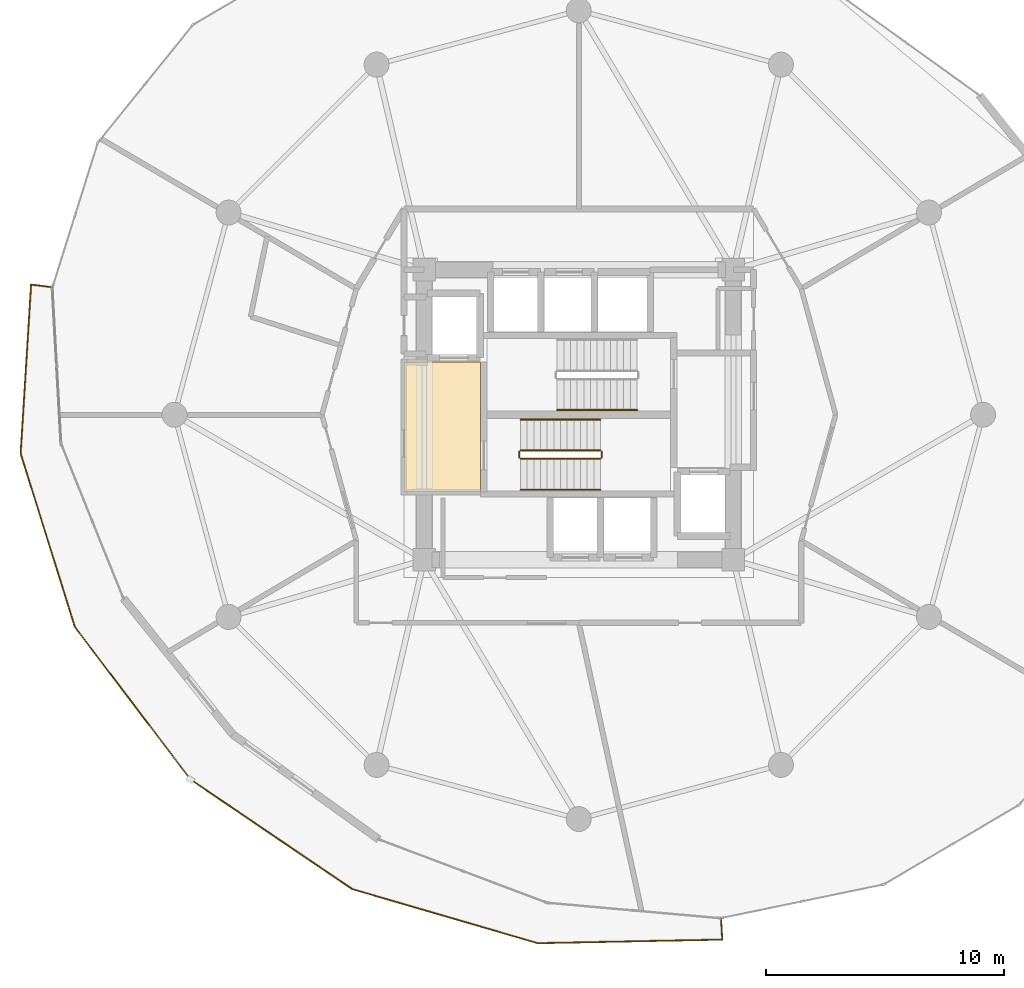
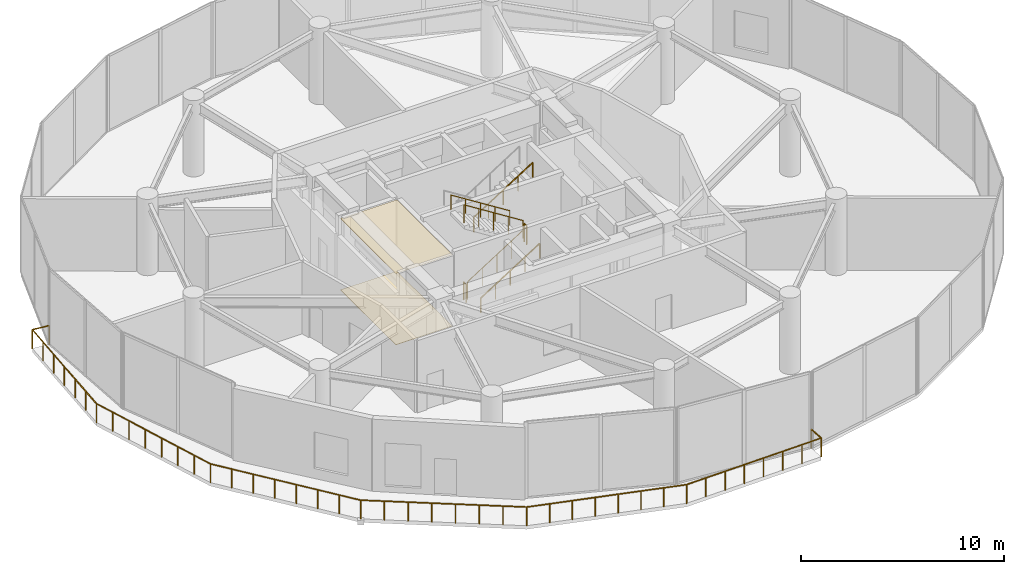
# One storey, part 27 of 28: 8 railings, 2 coverings.
"""IFC4 building model written with IfcOpenShell, lengths in metres."""

from ifc_helpers import new_model, si_unit, direction, frame, origin, origin_2d, place, context, subcontext, project, spatial, polyline, circle, outline, extrude, material, layer, layer_set, type_object, element, save


model = new_model("IFC4")

# Units and contexts
model_context = context("Model", 3, precision=1e-05, world=origin(), true_north=direction((0.0, 1.0)))
body_context = subcontext(model_context, "Body", "Model", "MODEL_VIEW")
ifc_project = project(units=[si_unit("LENGTHUNIT", "METRE"), si_unit("AREAUNIT", "SQUARE_METRE"), si_unit("VOLUMEUNIT", "CUBIC_METRE"), si_unit("PLANEANGLEUNIT", "RADIAN"), si_unit("MASSUNIT", "GRAM", prefix="KILO")], contexts=[model_context])

# Site, building, storey
site_placement = place(None, origin())
site = spatial("IfcSite", under=ifc_project, at=site_placement, CompositionType="ELEMENT")
building_placement = place(site_placement, origin())
building = spatial("IfcBuilding", under=site, at=building_placement, Name="Solvirekh Grand Hotel", CompositionType="ELEMENT")
storey_placement = place(building_placement, frame((0.0, 0.0, 98.0)))
storey = spatial("IfcBuildingStorey", under=building, at=storey_placement, Name="L24", CompositionType="ELEMENT", Elevation=98.0)

# Coverings
ifc_material_1 = material(Name="Acoustic Mineral Ceiling Tile")
ifc_layer_1 = layer(ifc_material_1, 0.02490234375)
ifc_layer_set_1 = layer_set([ifc_layer_1], Name="Acoustic Mineral Ceiling Tile")
covering_type_1 = type_object("IfcCoveringType", Name="Cov_Ceiling_Acoustic", PredefinedType="CEILING", material=ifc_layer_set_1)
covering_1_placement = place(storey_placement, frame((0.0, 0.0, 4.300048828125)))
element("IfcCovering", 1, at=covering_1_placement, inside=storey, type_object=covering_type_1, Name="L24 Firefighting Lobby West acoustic ceiling", PredefinedType="CEILING", context=body_context, shape_type="SweptSolid", body=[
    extrude(outline(polyline([(-7.35009765625, -3.25), (-4.1298828125, -3.25), (-4.1298828125, 2.2099609375), (-7.35009765625, 2.2099609375), (-7.35009765625, -3.25)])), origin(), (0.0, 0.0, 1.0), 0.01806640625),
])
ifc_material_2 = material(Name="Porcelain Stoneware Flooring", Category="masonry")
ifc_layer_2 = layer(ifc_material_2, 0.030029296875)
ifc_layer_set_2 = layer_set([ifc_layer_2], Name="Porcelain Stoneware Flooring")
covering_type_2 = type_object("IfcCoveringType", Name="Cov_Floor_Stone", PredefinedType="FLOORING", material=ifc_layer_set_2)
covering_2_placement = place(storey_placement, origin())
element("IfcCovering", 2, at=covering_2_placement, inside=storey, type_object=covering_type_2, Name="L24 Firefighting Lobby West polished granite flooring", PredefinedType="FLOORING", context=body_context, shape_type="SweptSolid", body=[
    extrude(outline(polyline([(-7.35009765625, -3.25), (-4.1298828125, -3.25), (-4.1298828125, 2.2099609375), (-7.35009765625, 2.2099609375), (-7.35009765625, -3.25)])), origin(), (0.0, 0.0, 1.0), 0.02001953125),
])

# Railings
ifc_material_3 = material(Name="Anodized Bronze Aluminium 6063-T6", Category="aluminium")
railing_type_1 = type_object("IfcRailingType", Name="Guard_ExtGlass_1150", PredefinedType="BALUSTRADE", material=ifc_material_3)
railing_1_placement = place(storey_placement, frame((-22.135986328125, 5.366943359375, 0.0)))
element("IfcRailing", 3, at=railing_1_placement, inside=storey, type_object=railing_type_1, Name="L24 balc perimeter glass balustrade", PredefinedType="BALUSTRADE", context=body_context, shape_type="SweptSolid", body=[
    extrude(circle(Radius=0.02392578125, at=origin_2d()), frame((0.0, 0.0, 1.1259765625), z_axis=(-0.992632365894, 0.121165119485, 0.0), x_axis=(-0.121165119485, -0.992632365894, 0.0)), (0.0, 0.0, 1.0), 0.900634765625),
    extrude(circle(Radius=0.02392578125, at=origin_2d()), frame((-0.89404296875, 0.109130859375, 1.1259765625), z_axis=(-0.061835645824, -0.998086345416, 0.0), x_axis=(0.998086345416, -0.061835645824, 0.0)), (0.0, 0.0, 1.0), 7.11474609375),
    extrude(circle(Radius=0.02392578125, at=origin_2d()), frame((-1.333984375, -6.991943359375, 1.1259765625), z_axis=(0.298164099568, -0.954514625204, 0.0), x_axis=(0.954514625204, 0.298164099568, 0.0)), (0.0, 0.0, 1.0), 7.64697265625),
    extrude(circle(Radius=0.02392578125, at=origin_2d()), frame((0.946044921875, -14.291015625, 1.1259765625), z_axis=(0.604163258931, -0.796860562807, 0.0), x_axis=(0.796860562807, 0.604163258931, 0.0)), (0.0, 0.0, 1.0), 8.0439453125),
    extrude(circle(Radius=0.02392578125, at=origin_2d()), frame((5.805908203125, -20.700927734375, 1.1259765625), z_axis=(0.827817683229, -0.560997222215, 0.0), x_axis=(0.560997222215, 0.827817683229, 0.0)), (0.0, 0.0, 1.0), 8.219482421875),
    extrude(circle(Radius=0.02392578125, at=origin_2d()), frame((12.610107421875, -25.31201171875, 1.1259765625), z_axis=(0.959978461339, -0.280073836273, 0.0), x_axis=(0.280073836273, 0.959978461339, 0.0)), (0.0, 0.0, 1.0), 8.1259765625),
    extrude(circle(Radius=0.02392578125, at=origin_2d()), frame((20.410888671875, -27.587890625, 1.1259765625), z_axis=(0.999808534331, 0.019567694797, 0.0), x_axis=(-0.019567694797, 0.999808534331, 0.0)), (0.0, 0.0, 1.0), 7.760498046875),
    extrude(circle(Radius=0.02392578125, at=origin_2d()), frame((28.169921875, -27.43603515625, 1.1259765625), z_axis=(-0.054223666295, 0.998528814814, 0.0), x_axis=(-0.998528814814, -0.054223666295, 0.0)), (0.0, 0.0, 1.0), 0.900390625),
    extrude(circle(Radius=0.02099609375, at=origin_2d()), origin(), (0.0, 0.0, 1.0), 1.101806640625),
    extrude(circle(Radius=0.02099609375, at=origin_2d()), frame((-0.89404296875, 0.109130859375, 0.0)), (0.0, 0.0, 1.0), 1.101806640625),
    extrude(circle(Radius=0.02099609375, at=origin_2d()), frame((-0.96728515625, -1.074462890625, 0.0)), (0.0, 0.0, 1.0), 1.101806640625),
    extrude(circle(Radius=0.02099609375, at=origin_2d()), frame((-1.040771484375, -2.2578125, 0.0)), (0.0, 0.0, 1.0), 1.101806640625),
    extrude(circle(Radius=0.02099609375, at=origin_2d()), frame((-1.114013671875, -3.44140625, 0.0)), (0.0, 0.0, 1.0), 1.101806640625),
    extrude(circle(Radius=0.02099609375, at=origin_2d()), frame((-1.187255859375, -4.625, 0.0)), (0.0, 0.0, 1.0), 1.101806640625),
    extrude(circle(Radius=0.02099609375, at=origin_2d()), frame((-1.2607421875, -5.808349609375, 0.0)), (0.0, 0.0, 1.0), 1.101806640625),
    extrude(circle(Radius=0.02099609375, at=origin_2d()), frame((-1.333984375, -6.991943359375, 0.0)), (0.0, 0.0, 1.0), 1.101806640625),
    extrude(circle(Radius=0.02099609375, at=origin_2d()), frame((-1.00830078125, -8.03466796875, 0.0)), (0.0, 0.0, 1.0), 1.101806640625),
    extrude(circle(Radius=0.02099609375, at=origin_2d()), frame((-0.6826171875, -9.077392578125, 0.0)), (0.0, 0.0, 1.0), 1.101806640625),
    extrude(circle(Radius=0.02099609375, at=origin_2d()), frame((-0.35693359375, -10.1201171875, 0.0)), (0.0, 0.0, 1.0), 1.101806640625),
    extrude(circle(Radius=0.02099609375, at=origin_2d()), frame((-0.031005859375, -11.162841796875, 0.0)), (0.0, 0.0, 1.0), 1.101806640625),
    extrude(circle(Radius=0.02099609375, at=origin_2d()), frame((0.294677734375, -12.20556640625, 0.0)), (0.0, 0.0, 1.0), 1.101806640625),
    extrude(circle(Radius=0.02099609375, at=origin_2d()), frame((0.620361328125, -13.248291015625, 0.0)), (0.0, 0.0, 1.0), 1.101806640625),
    extrude(circle(Radius=0.02099609375, at=origin_2d()), frame((0.946044921875, -14.291015625, 0.0)), (0.0, 0.0, 1.0), 1.101806640625),
    extrude(circle(Radius=0.02099609375, at=origin_2d()), frame((1.640380859375, -15.206787109375, 0.0)), (0.0, 0.0, 1.0), 1.101806640625),
    extrude(circle(Radius=0.02099609375, at=origin_2d()), frame((2.33447265625, -16.122314453125, 0.0)), (0.0, 0.0, 1.0), 1.101806640625),
    extrude(circle(Radius=0.02099609375, at=origin_2d()), frame((3.02880859375, -17.0380859375, 0.0)), (0.0, 0.0, 1.0), 1.101806640625),
    extrude(circle(Radius=0.02099609375, at=origin_2d()), frame((3.72314453125, -17.953857421875, 0.0)), (0.0, 0.0, 1.0), 1.101806640625),
    extrude(circle(Radius=0.02099609375, at=origin_2d()), frame((4.41748046875, -18.86962890625, 0.0)), (0.0, 0.0, 1.0), 1.101806640625),
    extrude(circle(Radius=0.02099609375, at=origin_2d()), frame((5.111572265625, -19.78515625, 0.0)), (0.0, 0.0, 1.0), 1.101806640625),
    extrude(circle(Radius=0.02099609375, at=origin_2d()), frame((5.805908203125, -20.700927734375, 0.0)), (0.0, 0.0, 1.0), 1.101806640625),
    extrude(circle(Radius=0.02099609375, at=origin_2d()), frame((6.77783203125, -21.359619140625, 0.0)), (0.0, 0.0, 1.0), 1.101806640625),
    extrude(circle(Radius=0.02099609375, at=origin_2d()), frame((7.75, -22.018310546875, 0.0)), (0.0, 0.0, 1.0), 1.101806640625),
    extrude(circle(Radius=0.02099609375, at=origin_2d()), frame((8.721923828125, -22.677001953125, 0.0)), (0.0, 0.0, 1.0), 1.101806640625),
    extrude(circle(Radius=0.02099609375, at=origin_2d()), frame((9.694091796875, -23.3359375, 0.0)), (0.0, 0.0, 1.0), 1.101806640625),
    extrude(circle(Radius=0.02099609375, at=origin_2d()), frame((10.666015625, -23.99462890625, 0.0)), (0.0, 0.0, 1.0), 1.101806640625),
    extrude(circle(Radius=0.02099609375, at=origin_2d()), frame((11.63818359375, -24.6533203125, 0.0)), (0.0, 0.0, 1.0), 1.101806640625),
    extrude(circle(Radius=0.02099609375, at=origin_2d()), frame((12.610107421875, -25.31201171875, 0.0)), (0.0, 0.0, 1.0), 1.101806640625),
    extrude(circle(Radius=0.02099609375, at=origin_2d()), frame((13.724609375, -25.63720703125, 0.0)), (0.0, 0.0, 1.0), 1.101806640625),
    extrude(circle(Radius=0.02099609375, at=origin_2d()), frame((14.8388671875, -25.962158203125, 0.0)), (0.0, 0.0, 1.0), 1.101806640625),
    extrude(circle(Radius=0.02099609375, at=origin_2d()), frame((15.953369140625, -26.287353515625, 0.0)), (0.0, 0.0, 1.0), 1.101806640625),
    extrude(circle(Radius=0.02099609375, at=origin_2d()), frame((17.067626953125, -26.612548828125, 0.0)), (0.0, 0.0, 1.0), 1.101806640625),
    extrude(circle(Radius=0.02099609375, at=origin_2d()), frame((18.18212890625, -26.937744140625, 0.0)), (0.0, 0.0, 1.0), 1.101806640625),
    extrude(circle(Radius=0.02099609375, at=origin_2d()), frame((19.29638671875, -27.2626953125, 0.0)), (0.0, 0.0, 1.0), 1.101806640625),
    extrude(circle(Radius=0.02099609375, at=origin_2d()), frame((20.410888671875, -27.587890625, 0.0)), (0.0, 0.0, 1.0), 1.101806640625),
    extrude(circle(Radius=0.02099609375, at=origin_2d()), frame((21.519287109375, -27.566162109375, 0.0)), (0.0, 0.0, 1.0), 1.101806640625),
    extrude(circle(Radius=0.02099609375, at=origin_2d()), frame((22.627685546875, -27.54443359375, 0.0)), (0.0, 0.0, 1.0), 1.101806640625),
    extrude(circle(Radius=0.02099609375, at=origin_2d()), frame((23.736083984375, -27.522705078125, 0.0)), (0.0, 0.0, 1.0), 1.101806640625),
    extrude(circle(Radius=0.02099609375, at=origin_2d()), frame((24.8447265625, -27.501220703125, 0.0)), (0.0, 0.0, 1.0), 1.101806640625),
    extrude(circle(Radius=0.02099609375, at=origin_2d()), frame((25.953125, -27.4794921875, 0.0)), (0.0, 0.0, 1.0), 1.101806640625),
    extrude(circle(Radius=0.02099609375, at=origin_2d()), frame((27.0615234375, -27.457763671875, 0.0)), (0.0, 0.0, 1.0), 1.101806640625),
    extrude(circle(Radius=0.02099609375, at=origin_2d()), frame((28.169921875, -27.43603515625, 0.0)), (0.0, 0.0, 1.0), 1.101806640625),
    extrude(circle(Radius=0.02099609375, at=origin_2d()), frame((28.12109375, -26.536865234375, 0.0)), (0.0, 0.0, 1.0), 1.101806640625),
])
ifc_material_4 = material(Name="Steel S355", Category="steel")
railing_type_2 = type_object("IfcRailingType", Name="Guard_Stair_1100", PredefinedType="GUARDRAIL", material=ifc_material_4)
railing_2_placement = place(storey_placement, frame((-2.449951171875, -1.85009765625, 0.177001953125)))
element("IfcRailing", 4, at=railing_2_placement, inside=storey, type_object=railing_type_2, Name="L24 ST-1 stair guard 1", PredefinedType="GUARDRAIL", context=body_context, shape_type="SweptSolid", body=[
    extrude(circle(Radius=0.02392578125, at=origin_2d()), frame((0.0, 0.0, 1.076171875), z_axis=(0.845372108799, 0.0, 0.534177870812), x_axis=(0.0, 1.0, 0.0)), (0.0, 0.0, 1.0), 3.974365234375),
    extrude(circle(Radius=0.02099609375, at=origin_2d()), origin(), (0.0, 0.0, 1.0), 1.052001953125),
    extrude(circle(Radius=0.02099609375, at=origin_2d()), frame((0.83984375, 0.0, 0.53076171875)), (0.0, 0.0, 1.0), 1.052001953125),
    extrude(circle(Radius=0.02099609375, at=origin_2d()), frame((1.679931640625, 0.0, 1.0615234375)), (0.0, 0.0, 1.0), 1.052001953125),
    extrude(circle(Radius=0.02099609375, at=origin_2d()), frame((2.52001953125, 0.0, 1.59228515625)), (0.0, 0.0, 1.0), 1.052001953125),
    extrude(circle(Radius=0.02099609375, at=origin_2d()), frame((3.35986328125, 0.0, 2.123046875)), (0.0, 0.0, 1.0), 1.052001953125),
])
railing_3_placement = place(storey_placement, frame((0.9599609375, -1.800048828125, 2.300048828125)))
element("IfcRailing", 5, at=railing_3_placement, inside=storey, type_object=railing_type_2, Name="L24 ST-1 stair guard 2", PredefinedType="GUARDRAIL", context=body_context, shape_type="SweptSolid", body=[
    extrude(circle(Radius=0.02392578125, at=origin_2d()), frame((0.0, 0.0, 1.076171875), z_axis=(0.0, 1.0, 0.0), x_axis=(-1.0, 0.0, 0.0)), (0.0, 0.0, 1.0), 0.25),
    extrude(circle(Radius=0.02099609375, at=origin_2d()), origin(), (0.0, 0.0, 1.0), 1.052001953125),
    extrude(circle(Radius=0.02099609375, at=origin_2d()), frame((0.0, 0.25, 0.0)), (0.0, 0.0, 1.0), 1.052001953125),
])
railing_4_placement = place(storey_placement, frame((0.909912109375, -1.5, 2.476806640625)))
element("IfcRailing", 6, at=railing_4_placement, inside=storey, type_object=railing_type_2, Name="L24 ST-1 stair guard 3", PredefinedType="GUARDRAIL", context=body_context, shape_type="SweptSolid", body=[
    extrude(circle(Radius=0.02392578125, at=origin_2d()), frame((0.0, 0.0, 1.076171875), z_axis=(-0.845344368971, 0.0, 0.534221768416), x_axis=(0.0, -1.0, 0.0)), (0.0, 0.0, 1.0), 3.974609375),
    extrude(circle(Radius=0.02099609375, at=origin_2d()), origin(), (0.0, 0.0, 1.0), 1.052001953125),
    extrude(circle(Radius=0.02099609375, at=origin_2d()), frame((-0.83984375, 0.0, 0.53076171875)), (0.0, 0.0, 1.0), 1.052001953125),
    extrude(circle(Radius=0.02099609375, at=origin_2d()), frame((-1.679931640625, 0.0, 1.0615234375)), (0.0, 0.0, 1.0), 1.052001953125),
    extrude(circle(Radius=0.02099609375, at=origin_2d()), frame((-2.52001953125, 0.0, 1.592529296875)), (0.0, 0.0, 1.0), 1.052001953125),
    extrude(circle(Radius=0.02099609375, at=origin_2d()), frame((-3.35986328125, 0.0, 2.123291015625)), (0.0, 0.0, 1.0), 1.052001953125),
])
railing_5_placement = place(storey_placement, frame((-2.5, -1.800048828125, 0.0)))
element("IfcRailing", 7, at=railing_5_placement, inside=storey, type_object=railing_type_2, Name="L24 ST-1 stair guard 4", PredefinedType="GUARDRAIL", context=body_context, shape_type="SweptSolid", body=[
    extrude(circle(Radius=0.02392578125, at=origin_2d()), frame((0.0, 0.0, 1.076171875), z_axis=(0.0, 1.0, 0.0), x_axis=(-1.0, 0.0, 0.0)), (0.0, 0.0, 1.0), 0.25),
    extrude(circle(Radius=0.02099609375, at=origin_2d()), origin(), (0.0, 0.0, 1.0), 1.052001953125),
    extrude(circle(Radius=0.02099609375, at=origin_2d()), frame((0.0, 0.25, 0.0)), (0.0, 0.0, 1.0), 1.052001953125),
])
railing_type_3 = type_object("IfcRailingType", Name="Handrail_Wall_900", PredefinedType="HANDRAIL", material=ifc_material_3)
railing_6_placement = place(storey_placement, frame((-2.449951171875, -3.14990234375, 0.177001953125)))
element("IfcRailing", 8, at=railing_6_placement, inside=storey, type_object=railing_type_3, Name="L24 ST-1 stair handrail 1", PredefinedType="HANDRAIL", context=body_context, shape_type="SweptSolid", body=[
    extrude(circle(Radius=0.02392578125, at=origin_2d()), frame((0.0, 0.0, 0.8759765625), z_axis=(0.845372108799, 0.0, 0.534177870812), x_axis=(0.0, 1.0, 0.0)), (0.0, 0.0, 1.0), 3.974365234375),
    extrude(circle(Radius=0.02099609375, at=origin_2d()), origin(), (0.0, 0.0, 1.0), 0.851806640625),
    extrude(circle(Radius=0.02099609375, at=origin_2d()), frame((0.83984375, 0.0, 0.53076171875)), (0.0, 0.0, 1.0), 0.851806640625),
    extrude(circle(Radius=0.02099609375, at=origin_2d()), frame((1.679931640625, 0.0, 1.0615234375)), (0.0, 0.0, 1.0), 0.851806640625),
    extrude(circle(Radius=0.02099609375, at=origin_2d()), frame((2.52001953125, 0.0, 1.59228515625)), (0.0, 0.0, 1.0), 0.851806640625),
    extrude(circle(Radius=0.02099609375, at=origin_2d()), frame((3.35986328125, 0.0, 2.123046875)), (0.0, 0.0, 1.0), 0.851806640625),
])
railing_7_placement = place(storey_placement, frame((0.909912109375, -0.199951171875, 2.476806640625)))
element("IfcRailing", 9, at=railing_7_placement, inside=storey, type_object=railing_type_3, Name="L24 ST-1 stair handrail 2", PredefinedType="HANDRAIL", context=body_context, shape_type="SweptSolid", body=[
    extrude(circle(Radius=0.02392578125, at=origin_2d()), frame((0.0, 0.0, 0.8759765625), z_axis=(-0.845344368971, 0.0, 0.534221768416), x_axis=(0.0, -1.0, 0.0)), (0.0, 0.0, 1.0), 3.974609375),
    extrude(circle(Radius=0.02099609375, at=origin_2d()), origin(), (0.0, 0.0, 1.0), 0.851806640625),
    extrude(circle(Radius=0.02099609375, at=origin_2d()), frame((-0.83984375, 0.0, 0.53076171875)), (0.0, 0.0, 1.0), 0.851806640625),
    extrude(circle(Radius=0.02099609375, at=origin_2d()), frame((-1.679931640625, 0.0, 1.0615234375)), (0.0, 0.0, 1.0), 0.851806640625),
    extrude(circle(Radius=0.02099609375, at=origin_2d()), frame((-2.52001953125, 0.0, 1.592529296875)), (0.0, 0.0, 1.0), 0.851806640625),
    extrude(circle(Radius=0.02099609375, at=origin_2d()), frame((-3.35986328125, 0.0, 2.123291015625)), (0.0, 0.0, 1.0), 0.851806640625),
])
railing_8_placement = place(storey_placement, frame((-0.909912109375, 0.199951171875, 2.476806640625)))
element("IfcRailing", 10, at=railing_8_placement, inside=storey, type_object=railing_type_3, Name="L24 ST-2 stair handrail 2", PredefinedType="HANDRAIL", context=body_context, shape_type="SweptSolid", body=[
    extrude(circle(Radius=0.02392578125, at=origin_2d()), frame((0.0, 0.0, 0.8759765625), z_axis=(0.845344368971, 0.0, 0.534221768416), x_axis=(0.0, 1.0, 0.0)), (0.0, 0.0, 1.0), 3.974609375),
    extrude(circle(Radius=0.02099609375, at=origin_2d()), origin(), (0.0, 0.0, 1.0), 0.851806640625),
    extrude(circle(Radius=0.02099609375, at=origin_2d()), frame((0.83984375, 0.0, 0.53076171875)), (0.0, 0.0, 1.0), 0.851806640625),
    extrude(circle(Radius=0.02099609375, at=origin_2d()), frame((1.679931640625, 0.0, 1.0615234375)), (0.0, 0.0, 1.0), 0.851806640625),
    extrude(circle(Radius=0.02099609375, at=origin_2d()), frame((2.52001953125, 0.0, 1.592529296875)), (0.0, 0.0, 1.0), 0.851806640625),
    extrude(circle(Radius=0.02099609375, at=origin_2d()), frame((3.35986328125, 0.0, 2.123291015625)), (0.0, 0.0, 1.0), 0.851806640625),
])

save(model, "model.ifc")
